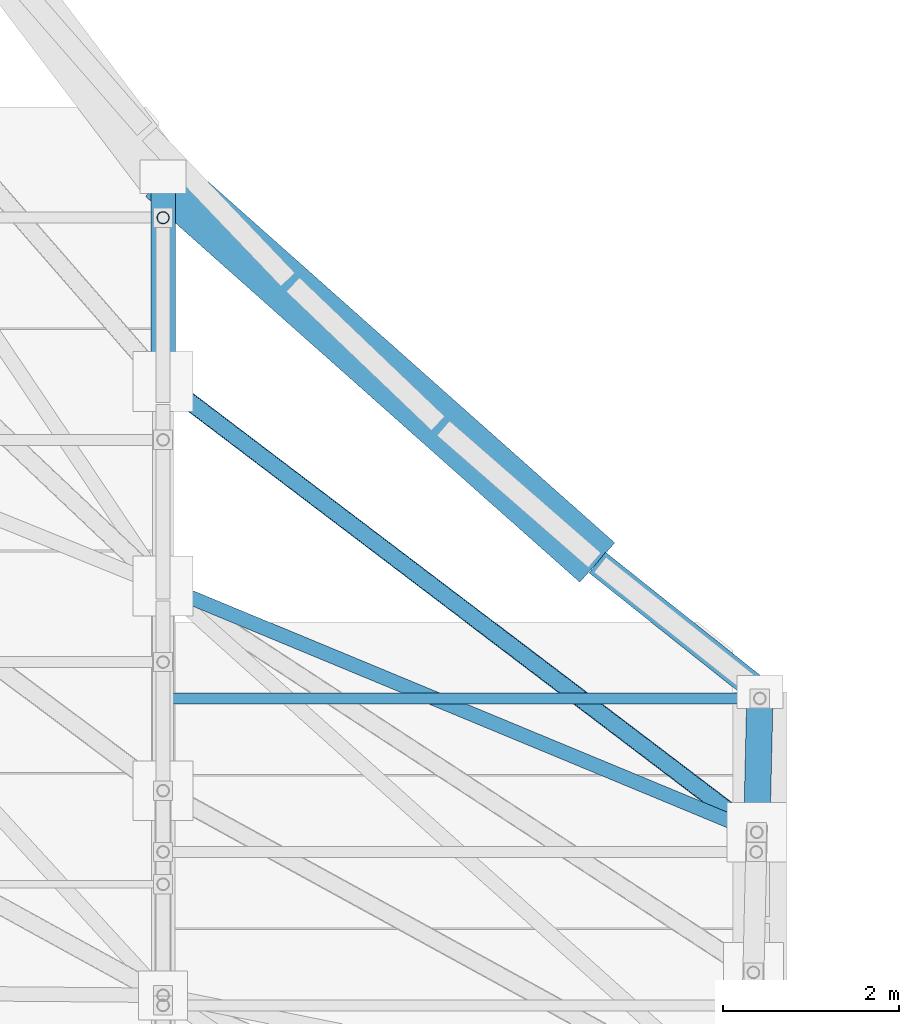
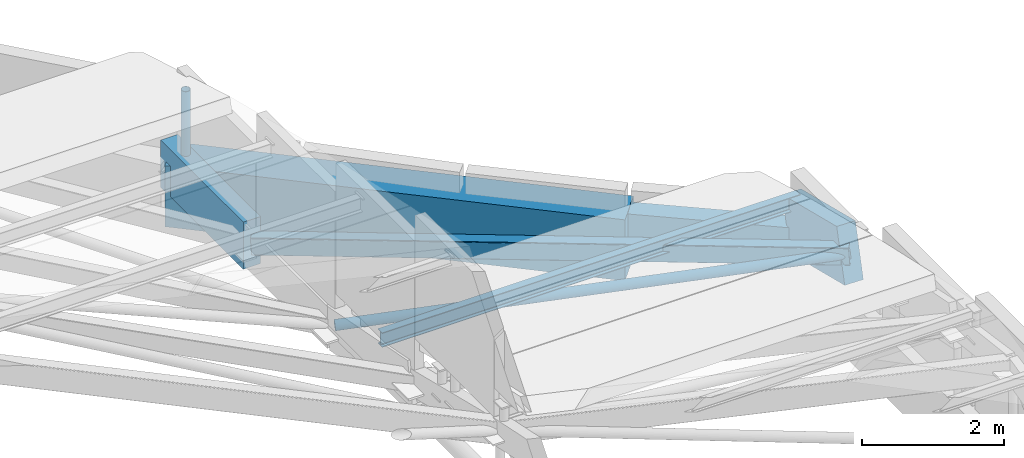
# One storey, part 35 of 188: 6 members, 2 beams.
"""IFC4 building model written with IfcOpenShell, lengths in metres."""

from ifc_helpers import new_model, si_unit, direction, frame, origin, origin_2d, place, context, subcontext, project, spatial, rectangle, hollow_rectangle, hollow_circle, i_section, extrude, material, material_profile, profile_set, type_object, element, save


model = new_model("IFC4")

# Units and contexts
model_context = context("Model", 3, precision=1e-05, world=origin(), true_north=direction((0.0, 1.0)))
body_context = subcontext(model_context, "Body", "Model", "MODEL_VIEW")
ifc_project = project(units=[si_unit("LENGTHUNIT", "METRE"), si_unit("AREAUNIT", "SQUARE_METRE"), si_unit("VOLUMEUNIT", "CUBIC_METRE"), si_unit("PLANEANGLEUNIT", "RADIAN"), si_unit("MASSUNIT", "GRAM", prefix="KILO")], contexts=[model_context])

# Site, building, storey
site_placement = place(None, origin())
site = spatial("IfcSite", under=ifc_project, at=site_placement, CompositionType="ELEMENT")
building_placement = place(site_placement, origin())
building = spatial("IfcBuilding", under=site, at=building_placement, Name="Kisaragi Civic Commons", CompositionType="ELEMENT")
storey_placement = place(building_placement, frame((0.0, 0.0, 9.60009765625)))
storey = spatial("IfcBuildingStorey", under=building, at=storey_placement, Name="L02", CompositionType="ELEMENT", Elevation=9.60009765625)

# Member
ifc_material_1 = material(Name="Steel SN400 (SN400B)", Category="steel")
ifc_material_profile_1 = material_profile(ifc_material_1, hollow_circle(Radius=0.08251953125, WallThickness=0.006103515625, at=origin_2d()), Name="CHS-165.2x6.0", Category="steel")
ifc_profile_set_1 = profile_set([ifc_material_profile_1], Name="Steel SN400 (SN400B)")
member_type_1 = type_object("IfcMemberType", Name="BR-02", PredefinedType="BRACE", material=ifc_profile_set_1)
member_1_placement = place(storey_placement, frame((40.800048828125, 18.006103515625, -0.440673828125), z_axis=(0.920946150347, -0.381824094393, 0.077900892822), x_axis=(0.382987953414, 0.923753336957, 0.0)))
element("IfcMember", 1, at=member_1_placement, inside=storey, type_object=member_type_1, Name="V1 diagonal gridshell steel brace 42", PredefinedType="BRACE", context=body_context, shape_type="SweptSolid", body=[
    extrude(hollow_circle(Radius=0.08251953125, WallThickness=0.006103515625, at=origin_2d()), origin(), (0.0, 0.0, 1.0), 7.343017578125),
])

# Beam
ifc_material_2 = material(Name="Concrete Fc36", Category="concrete")
ifc_material_profile_2 = material_profile(ifc_material_2, rectangle(XDim=0.60009765625, YDim=1.050048828125, at=origin_2d()), Name="RC-600x1050", Category="concrete")
ifc_profile_set_2 = profile_set([ifc_material_profile_2], Name="Concrete Fc36")
beam_type_1 = type_object("IfcBeamType", Name="G-06", PredefinedType="BEAM", material=ifc_profile_set_2)
beam_1_placement = place(storey_placement, frame((40.800048828125, 22.66796875, -0.84521484375), z_axis=(0.747627125396, -0.664118725358, 0.0), x_axis=(0.664118725358, 0.747627125396, 0.0)))
element("IfcBeam", 2, at=beam_1_placement, inside=storey, type_object=beam_type_1, Name="L02 curved spandrel/ring girder G-06 254", PredefinedType="BEAM", context=body_context, shape_type="SweptSolid", body=[
    extrude(rectangle(XDim=0.60009765625, YDim=1.050048828125, at=origin_2d()), origin(), (0.0, 0.0, 1.0), 6.615966796875),
])

# Members
ifc_material_3 = material(Name="Steel SN490 (SN490B)", Category="steel")
ifc_material_profile_3 = material_profile(ifc_material_3, hollow_rectangle(XDim=0.199951171875, YDim=0.300048828125, WallThickness=0.009033203125, InnerFilletRadius=0.009033203125, OuterFilletRadius=0.01806640625, at=origin_2d()), Name="STKR-300x200x9", Category="steel")
ifc_profile_set_3 = profile_set([ifc_material_profile_3], Name="Steel SN490 (SN490B)")
member_type_2 = type_object("IfcMemberType", Name="GC-02", PredefinedType="CHORD", material=ifc_profile_set_3)
member_2_placement = place(storey_placement, frame((40.800048828125, 20.3369140625, -0.440673828125), z_axis=(0.794641218048, -0.603346671605, 0.067217024943), x_axis=(0.604714306595, 0.79644246961, 0.0)))
element("IfcMember", 3, at=member_2_placement, inside=storey, type_object=member_type_2, Name="V1 wave gridshell chord GC-02 49", PredefinedType="CHORD", context=body_context, shape_type="SweptSolid", body=[
    extrude(hollow_rectangle(XDim=0.199951171875, YDim=0.300048828125, WallThickness=0.009033203125, InnerFilletRadius=0.009033203125, OuterFilletRadius=0.01806640625, at=origin_2d()), origin(), (0.0, 0.0, 1.0), 8.510009765625),
])
ifc_material_4 = material(Name="Glulam E120-F330", Category="wood")
ifc_material_profile_4 = material_profile(ifc_material_4, rectangle(XDim=0.280029296875, YDim=0.81005859375, at=origin_2d()), Name="GL-280x810", Category="wood")
ifc_profile_set_4 = profile_set([ifc_material_profile_4], Name="Glulam E120-F330")
member_type_3 = type_object("IfcMemberType", Name="GR-01", PredefinedType="RAFTER", material=ifc_profile_set_4)
member_3_placement = place(storey_placement, frame((40.800048828125, 20.3369140625, -0.440673828125), z_axis=(0.0, 1.0, 0.0), x_axis=(-1.0, 0.0, 0.0)))
element("IfcMember", 4, at=member_3_placement, inside=storey, type_object=member_type_3, Name="V1 glulam arch rib GR-01 56", PredefinedType="RAFTER", context=body_context, shape_type="SweptSolid", body=[
    extrude(rectangle(XDim=0.280029296875, YDim=0.81005859375, at=origin_2d()), origin(), (0.0, 0.0, 1.0), 2.3310546875),
])
ifc_material_profile_5 = material_profile(ifc_material_4, rectangle(XDim=0.300048828125, YDim=0.89990234375, at=origin_2d()), Name="GL-300x900", Category="wood")
ifc_profile_set_5 = profile_set([ifc_material_profile_5], Name="Glulam E120-F330")
member_type_4 = type_object("IfcMemberType", Name="GR-07", PredefinedType="RAFTER", material=ifc_profile_set_5)
member_4_placement = place(storey_placement, frame((47.5625, 15.202392578125, 0.13134765625), z_axis=(0.022706486505, 0.964878231738, -0.261714373676), x_axis=(-0.999723213741, 0.023526493722, 0.0)))
element("IfcMember", 5, at=member_4_placement, inside=storey, type_object=member_type_4, Name="V1 glulam arch rib GR-07 64", PredefinedType="RAFTER", context=body_context, shape_type="SweptSolid", body=[
    extrude(rectangle(XDim=0.300048828125, YDim=0.89990234375, at=origin_2d()), origin(), (0.0, 0.0, 1.0), 1.65576171875),
])

# Beam
ifc_material_5 = material(Name="Precast concrete Fc36", Category="concrete")
ifc_material_profile_6 = material_profile(ifc_material_5, rectangle(XDim=0.300048828125, YDim=0.550048828125, at=origin_2d()), Name="PC-300x550", Category="concrete")
ifc_profile_set_6 = profile_set([ifc_material_profile_6], Name="Precast concrete Fc36")
beam_type_2 = type_object("IfcBeamType", Name="LN-01", PredefinedType="LINTEL", material=ifc_profile_set_6)
beam_2_placement = place(storey_placement, frame((45.746337890625, 18.274169921875, -0.59521484375), z_axis=(0.782695778101, -0.622404465715, 0.0), x_axis=(0.622404465715, 0.782695778101, 0.0)))
element("IfcBeam", 6, at=beam_2_placement, inside=storey, type_object=beam_type_2, Name="L02 curved spandrel/ring girder LN-01 255", PredefinedType="LINTEL", context=body_context, shape_type="SweptSolid", body=[
    extrude(rectangle(XDim=0.300048828125, YDim=0.550048828125, at=origin_2d()), origin(), (0.0, 0.0, 1.0), 2.368408203125),
])

# Members
ifc_material_profile_7 = material_profile(ifc_material_1, i_section(OverallWidth=0.125, OverallDepth=0.25, WebThickness=0.006103515625, FlangeThickness=0.009033203125, FilletRadius=0.008056640625, at=origin_2d()), Name="H-250x125x6x9", Category="steel")
ifc_profile_set_7 = profile_set([ifc_material_profile_7], Name="Steel SN400 (SN400B)")
member_type_5 = type_object("IfcMemberType", Name="PR-01", PredefinedType="PURLIN", material=ifc_profile_set_7)
member_5_placement = place(storey_placement, frame((40.800048828125, 16.725830078125, 0.114501953125), z_axis=(1.0, 0.0, 0.0), x_axis=(0.0, 1.0, 0.0)))
element("IfcMember", 7, at=member_5_placement, inside=storey, type_object=member_type_5, Name="V1 wave vault steel purlin 55", PredefinedType="PURLIN", context=body_context, shape_type="SweptSolid", body=[
    extrude(i_section(OverallWidth=0.125, OverallDepth=0.25, WebThickness=0.006103515625, FlangeThickness=0.009033203125, FilletRadius=0.008056640625, at=origin_2d()), origin(), (0.0, 0.0, 1.0), 6.79833984375),
])
ifc_material_profile_8 = material_profile(ifc_material_3, hollow_circle(Radius=0.06982421875, WallThickness=0.006103515625, at=origin_2d()), Name="CHS-139.8x6.0", Category="steel")
ifc_profile_set_8 = profile_set([ifc_material_profile_8], Name="Steel SN490 (SN490B)")
member_type_6 = type_object("IfcMemberType", Name="ST-H1", PredefinedType="STRUT", material=ifc_profile_set_8)
member_6_placement = place(storey_placement, frame((40.800048828125, 22.202392578125, -0.440673828125), z_axis=(0.0, 0.0, 1.0), x_axis=(1.0, 0.0, 0.0)))
element("IfcMember", 8, at=member_6_placement, inside=storey, type_object=member_type_6, Name="V1 clerestory monitor horizontal tie strut 6.6.8", PredefinedType="STRUT", context=body_context, shape_type="SweptSolid", body=[
    extrude(hollow_circle(Radius=0.06982421875, WallThickness=0.006103515625, at=origin_2d()), origin(), (0.0, 0.0, 1.0), 1.515869140625),
])

save(model, "model.ifc")
